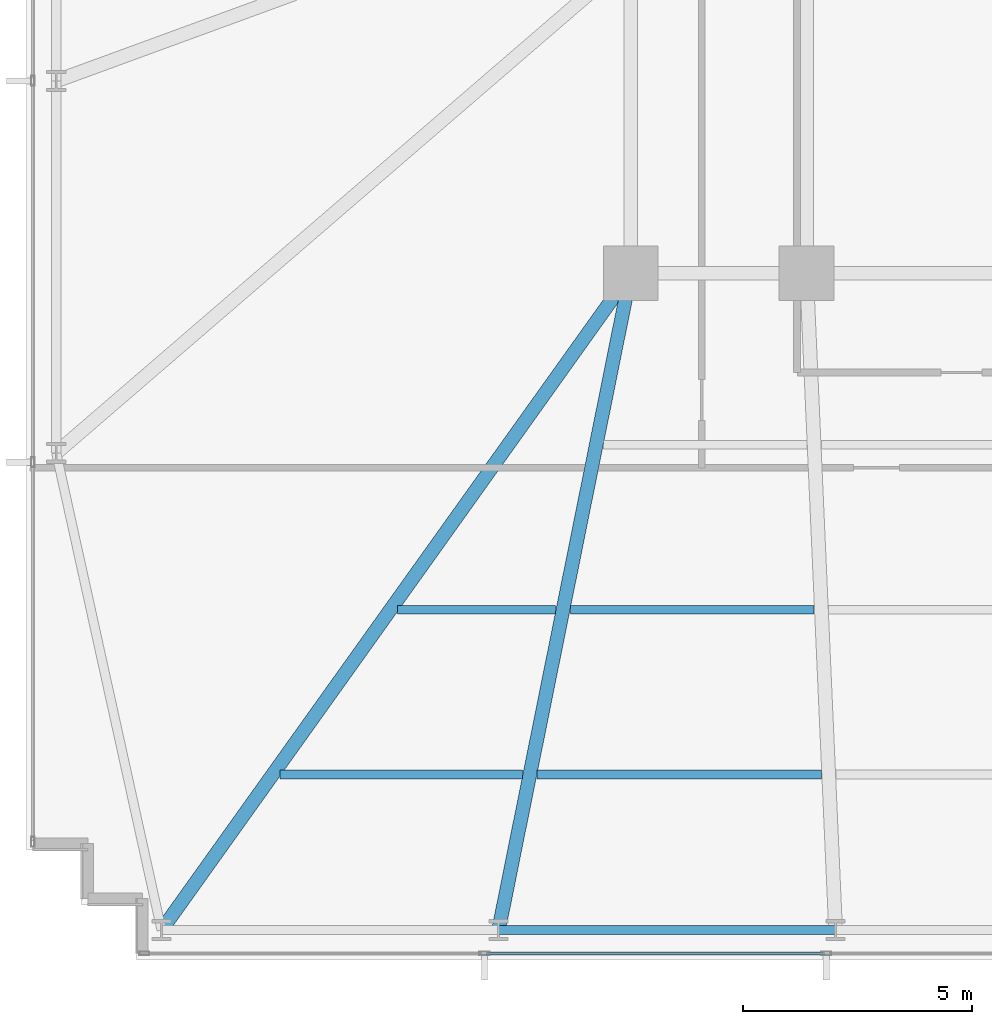
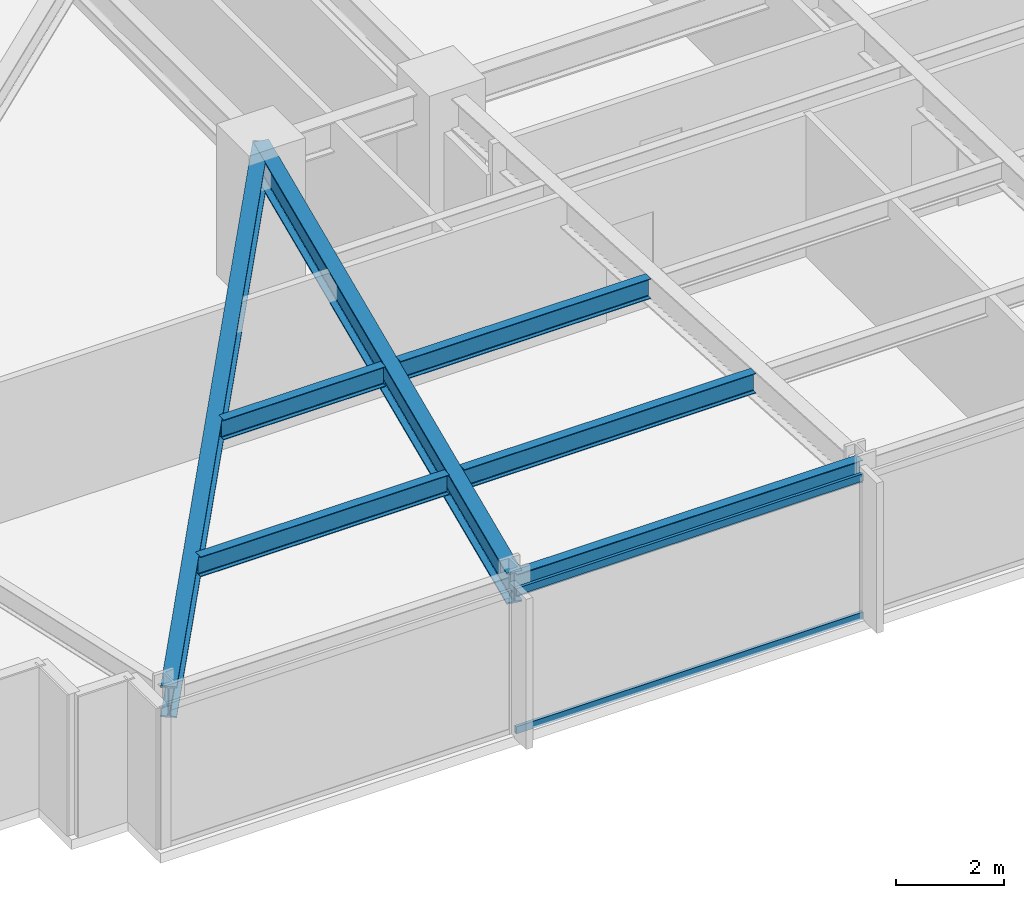
# One storey, part 3 of 32: 7 beams, 2 members, 1 element without a shape of its own.
"""IFC4 building model written with IfcOpenShell, lengths in metres."""

from ifc_helpers import new_model, si_unit, direction, frame, origin, origin_2d, place, context, subcontext, project, spatial, hollow_rectangle, i_section, extrude, material, material_profile, profile_set, type_object, element, aggregate, save


model = new_model("IFC4")

# Units and contexts
model_context = context("Model", 3, precision=1e-05, world=origin(), true_north=direction((0.0, 1.0)))
body_context = subcontext(model_context, "Body", "Model", "MODEL_VIEW")
ifc_project = project(units=[si_unit("LENGTHUNIT", "METRE"), si_unit("AREAUNIT", "SQUARE_METRE"), si_unit("VOLUMEUNIT", "CUBIC_METRE"), si_unit("PLANEANGLEUNIT", "RADIAN"), si_unit("MASSUNIT", "GRAM", prefix="KILO")], contexts=[model_context])

# Site, building, storey
site_placement = place(None, origin())
site = spatial("IfcSite", under=ifc_project, at=site_placement, CompositionType="ELEMENT")
building_placement = place(site_placement, origin())
building = spatial("IfcBuilding", under=site, at=building_placement, Name="Yelkora Congress Tower", CompositionType="ELEMENT")
storey_placement = place(building_placement, frame((0.0, 0.0, 44.0)))
storey = spatial("IfcBuildingStorey", under=building, at=storey_placement, Name="L10", CompositionType="ELEMENT", Elevation=44.0)

# Beams
ifc_material_1 = material(Name="Steel S355J2", Category="steel")
ifc_material_profile_1 = material_profile(ifc_material_1, i_section(OverallWidth=0.300048828125, OverallDepth=0.699951171875, WebThickness=0.01708984375, FlangeThickness=0.031982421875, FilletRadius=0.027099609375, at=origin_2d()), Name="HEB 700")
ifc_profile_set_1 = profile_set([ifc_material_profile_1], Name="Steel S355J2")
beam_type_1 = type_object("IfcBeamType", Name="BM-GIRD-HEB700", PredefinedType="BEAM", material=ifc_profile_set_1)
beam_1_placement = place(storey_placement, frame((8.949951171875, 10.85009765625, 2.830078125), z_axis=(0.581242122521, 0.813730664906, 0.0), x_axis=(-0.813730664906, 0.581242122521, 0.0)))
element("IfcBeam", 1, at=beam_1_placement, inside=storey, type_object=beam_type_1, Name="L10 Primary Frame Girder S01", PredefinedType="BEAM", context=body_context, shape_type="SweptSolid", body=[
    extrude(i_section(OverallWidth=0.300048828125, OverallDepth=0.699951171875, WebThickness=0.01708984375, FlangeThickness=0.031982421875, FilletRadius=0.027099609375, at=origin_2d()), origin(), (0.0, 0.0, 1.0), 17.634765625),
])
beam_2_placement = place(storey_placement, frame((16.3125, 10.85009765625, 2.830078125), z_axis=(0.197264295931, 0.980350344291, 0.0), x_axis=(-0.980350344291, 0.197264295931, 0.0)))
element("IfcBeam", 2, at=beam_2_placement, inside=storey, type_object=beam_type_1, Name="L10 Primary Frame Girder S02", PredefinedType="BEAM", context=body_context, shape_type="SweptSolid", body=[
    extrude(i_section(OverallWidth=0.300048828125, OverallDepth=0.699951171875, WebThickness=0.01708984375, FlangeThickness=0.031982421875, FilletRadius=0.027099609375, at=origin_2d()), origin(), (0.0, 0.0, 1.0), 14.637451171875),
])
ifc_material_profile_2 = material_profile(ifc_material_1, i_section(OverallWidth=0.18994140625, OverallDepth=0.449951171875, WebThickness=0.009521484375, FlangeThickness=0.0146484375, FilletRadius=0.02099609375, at=origin_2d()), Name="IPE 450")
ifc_profile_set_2 = profile_set([ifc_material_profile_2], Name="Steel S355J2")
beam_type_2 = type_object("IfcBeamType", Name="BM-JOIST-IPE450", PredefinedType="JOIST", material=ifc_profile_set_2)
beam_3_placement = place(storey_placement, frame((11.53857421875, 14.25, 2.955078125), z_axis=(1.0, 0.0, 0.0), x_axis=(0.0, 1.0, 0.0)))
element("IfcBeam", 3, at=beam_3_placement, inside=storey, type_object=beam_type_2, Name="L10 Composite Floor Joist 1", PredefinedType="JOIST", context=body_context, shape_type="SweptSolid", body=[
    extrude(i_section(OverallWidth=0.18994140625, OverallDepth=0.449951171875, WebThickness=0.009521484375, FlangeThickness=0.0146484375, FilletRadius=0.02099609375, at=origin_2d()), origin(), (0.0, 0.0, 1.0), 5.298095703125),
])
beam_4_placement = place(storey_placement, frame((17.156494140625, 14.25, 2.955078125), z_axis=(1.0, 0.0, 0.0), x_axis=(0.0, 1.0, 0.0)))
element("IfcBeam", 4, at=beam_4_placement, inside=storey, type_object=beam_type_2, Name="L10 Composite Floor Joist 2", PredefinedType="JOIST", context=body_context, shape_type="SweptSolid", body=[
    extrude(i_section(OverallWidth=0.18994140625, OverallDepth=0.449951171875, WebThickness=0.009521484375, FlangeThickness=0.0146484375, FilletRadius=0.02099609375, at=origin_2d()), origin(), (0.0, 0.0, 1.0), 6.2080078125),
])
beam_5_placement = place(storey_placement, frame((14.110107421875, 17.85009765625, 2.955078125), z_axis=(1.0, 0.0, 0.0), x_axis=(0.0, 1.0, 0.0)))
element("IfcBeam", 5, at=beam_5_placement, inside=storey, type_object=beam_type_2, Name="L10 Composite Floor Joist 9", PredefinedType="JOIST", context=body_context, shape_type="SweptSolid", body=[
    extrude(i_section(OverallWidth=0.18994140625, OverallDepth=0.449951171875, WebThickness=0.009521484375, FlangeThickness=0.0146484375, FilletRadius=0.02099609375, at=origin_2d()), origin(), (0.0, 0.0, 1.0), 3.450927734375),
])
beam_6_placement = place(storey_placement, frame((17.881103515625, 17.85009765625, 2.955078125), z_axis=(1.0, 0.0, 0.0), x_axis=(0.0, 1.0, 0.0)))
element("IfcBeam", 6, at=beam_6_placement, inside=storey, type_object=beam_type_2, Name="L10 Composite Floor Joist 10", PredefinedType="JOIST", context=body_context, shape_type="SweptSolid", body=[
    extrude(i_section(OverallWidth=0.18994140625, OverallDepth=0.449951171875, WebThickness=0.009521484375, FlangeThickness=0.0146484375, FilletRadius=0.02099609375, at=origin_2d()), origin(), (0.0, 0.0, 1.0), 5.323974609375),
])
ifc_material_profile_3 = material_profile(ifc_material_1, i_section(OverallWidth=0.199951171875, OverallDepth=0.5, WebThickness=0.01025390625, FlangeThickness=0.01611328125, FilletRadius=0.02099609375, at=origin_2d()), Name="IPE 500")
ifc_profile_set_3 = profile_set([ifc_material_profile_3], Name="Steel S355J2")
beam_type_3 = type_object("IfcBeamType", Name="BM-SPAN-IPE500", PredefinedType="SPANDREL", material=ifc_profile_set_3)
beam_7_placement = place(storey_placement, frame((16.3125, 10.85009765625, 2.929931640625), z_axis=(1.0, 0.0, 0.0), x_axis=(0.0, 1.0, 0.0)))
element("IfcBeam", 7, at=beam_7_placement, inside=storey, type_object=beam_type_3, Name="L10 Perimeter Beam 3", PredefinedType="SPANDREL", context=body_context, shape_type="SweptSolid", body=[
    extrude(i_section(OverallWidth=0.199951171875, OverallDepth=0.5, WebThickness=0.01025390625, FlangeThickness=0.01611328125, FilletRadius=0.02099609375, at=origin_2d()), origin(), (0.0, 0.0, 1.0), 7.362548828125),
])

# Curtain wall, members
ifc_material_2 = material(Name="Anodised aluminium and insulated glass", Category="aluminium")
curtain_wall_type = type_object("IfcCurtainWallType", Name="CW-SYS-B1", PredefinedType="NOTDEFINED", material=ifc_material_2)
curtain_wall_placement = place(storey_placement, origin())
curtain_wall = element("IfcCurtainWall", 8, at=curtain_wall_placement, inside=storey, type_object=curtain_wall_type, Name="L10 Unitised Curtain Wall 20", PredefinedType="NOTDEFINED")
ifc_material_3 = material(Name="Anodised aluminium 6063-T6", Category="aluminium")
ifc_material_profile_4 = material_profile(ifc_material_3, hollow_rectangle(XDim=0.06494140625, YDim=0.159912109375, WallThickness=0.00390625, at=origin_2d()), Name="ALU 65x160x4")
ifc_profile_set_4 = profile_set([ifc_material_profile_4], Name="Anodised aluminium 6063-T6")
member_type = type_object("IfcMemberType", Name="MEM-TR-B1", PredefinedType="USERDEFINED", material=ifc_profile_set_4)
member_1_placement = place(storey_placement, frame((23.4326171875, 10.340087890625, 0.032470703125), z_axis=(-1.0, 0.0, 0.0), x_axis=(0.0, -1.0, 0.0)))
member_1 = element("IfcMember", 9, at=member_1_placement, type_object=member_type, Name="CW-B1 transom 7.1", ObjectType="TRANSOM", PredefinedType="USERDEFINED", context=body_context, shape_type="SweptSolid", body=[
    extrude(hollow_rectangle(XDim=0.06494140625, YDim=0.159912109375, WallThickness=0.00390625, at=origin_2d()), origin(), (0.0, 0.0, 1.0), 7.39013671875),
])
member_2_placement = place(storey_placement, frame((23.4326171875, 10.340087890625, 3.1474609375), z_axis=(-1.0, 0.0, 0.0), x_axis=(0.0, -1.0, 0.0)))
member_2 = element("IfcMember", 10, at=member_2_placement, type_object=member_type, Name="CW-B1 transom 7.2", ObjectType="TRANSOM", PredefinedType="USERDEFINED", context=body_context, shape_type="SweptSolid", body=[
    extrude(hollow_rectangle(XDim=0.06494140625, YDim=0.159912109375, WallThickness=0.00390625, at=origin_2d()), origin(), (0.0, 0.0, 1.0), 7.39013671875),
])
aggregate(curtain_wall, [member_1, member_2])

save(model, "model.ifc")
